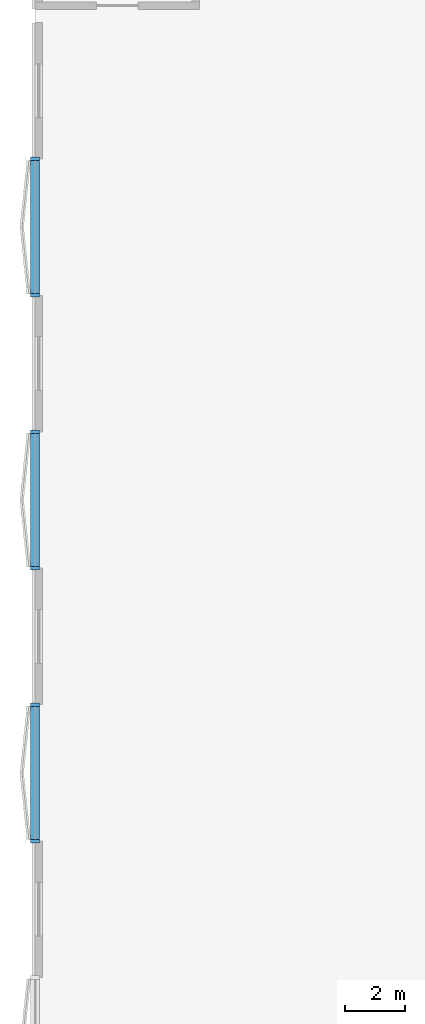
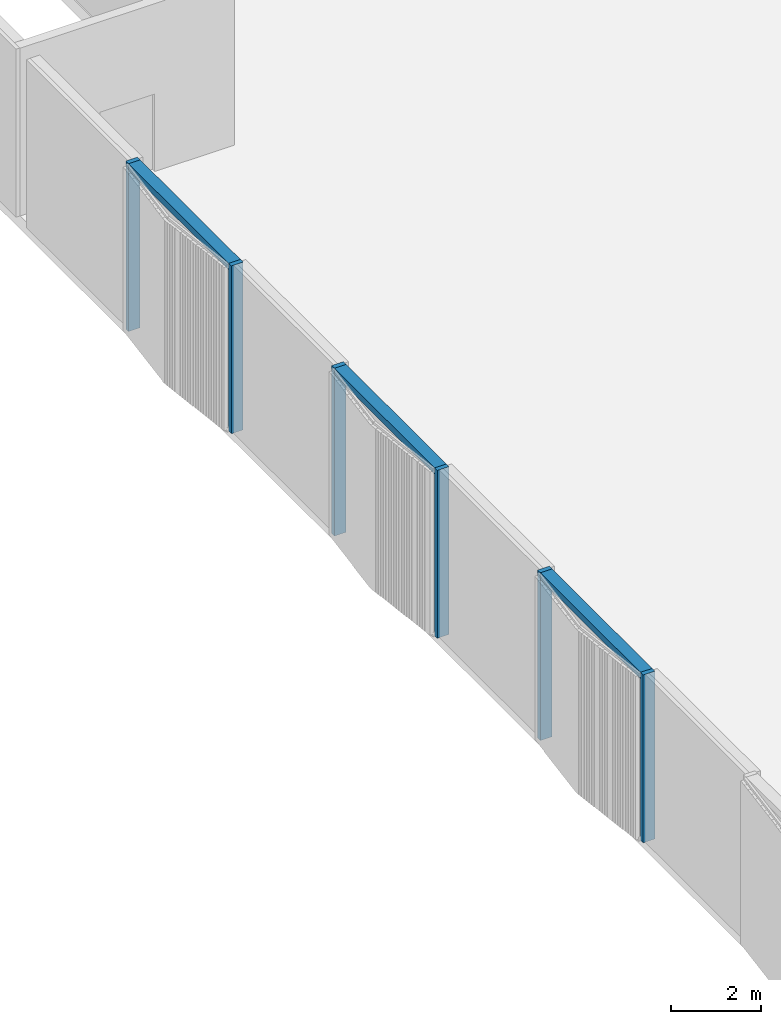
# One storey, part 4 of 24: 9 members, 1 element without a shape of its own.
"""IFC4 building model written with IfcOpenShell, lengths in metres."""

from ifc_helpers import new_model, si_unit, direction, frame, origin, origin_2d, place, context, subcontext, project, spatial, rectangle, extrude, material, material_profile, profile_set, type_object, element, aggregate, save


model = new_model("IFC4")

# Units and contexts
model_context = context("Model", 3, precision=1e-05, world=origin(), true_north=direction((0.0, 1.0)))
body_context = subcontext(model_context, "Body", "Model", "MODEL_VIEW")
ifc_project = project(units=[si_unit("LENGTHUNIT", "METRE"), si_unit("AREAUNIT", "SQUARE_METRE"), si_unit("VOLUMEUNIT", "CUBIC_METRE"), si_unit("PLANEANGLEUNIT", "RADIAN"), si_unit("MASSUNIT", "GRAM", prefix="KILO")], contexts=[model_context])

# Site, building, storey
site_placement = place(None, origin())
site = spatial("IfcSite", under=ifc_project, at=site_placement, CompositionType="ELEMENT")
building_placement = place(site_placement, origin())
building = spatial("IfcBuilding", under=site, at=building_placement, Name="Tamra Quay Hotel Tower", CompositionType="ELEMENT")
storey_placement = place(building_placement, frame((0.0, 0.0, 19.5)))
storey = spatial("IfcBuildingStorey", under=building, at=storey_placement, Name="L03", CompositionType="ELEMENT", Elevation=19.5)

# Curtain wall, members
ifc_material = material(Name="Aluminium 6063 anodised dark grey", Category="aluminium")
curtain_wall_type = type_object("IfcCurtainWallType", Name="CW4 CURTAIN WALL", PredefinedType="NOTDEFINED", material=ifc_material)
curtain_wall_placement = place(storey_placement, origin())
curtain_wall = element("IfcCurtainWall", 1, at=curtain_wall_placement, inside=storey, type_object=curtain_wall_type, Name="CW4 west face L03", PredefinedType="NOTDEFINED")
ifc_material_profile_1 = material_profile(ifc_material, rectangle(XDim=0.300048828125, YDim=0.1201171875, at=origin_2d()), Name="MULLION 120X300")
ifc_profile_set_1 = profile_set([ifc_material_profile_1], Name="Aluminium 6063 anodised dark grey")
member_type_1 = type_object("IfcMemberType", Name="MULLION CW4", PredefinedType="MULLION", material=ifc_profile_set_1)
member_1_placement = place(storey_placement, frame((-89.10009765625, 18.28564453125, 0.0), z_axis=(0.0, 0.0, 1.0), x_axis=(-1.0, 0.0, 0.0)))
member_1 = element("IfcMember", 2, at=member_1_placement, type_object=member_type_1, Name="CW4 mullion L03.W.1", PredefinedType="MULLION", context=body_context, shape_type="SweptSolid", body=[
    extrude(rectangle(XDim=0.300048828125, YDim=0.1201171875, at=origin_2d()), origin(), (0.0, 0.0, 1.0), 4.550048828125),
])
member_2_placement = place(storey_placement, frame((-89.10009765625, 13.71435546875, 0.0), z_axis=(0.0, 0.0, 1.0), x_axis=(-1.0, 0.0, 0.0)))
member_2 = element("IfcMember", 3, at=member_2_placement, type_object=member_type_1, Name="CW4 mullion L03.W.2", PredefinedType="MULLION", context=body_context, shape_type="SweptSolid", body=[
    extrude(rectangle(XDim=0.300048828125, YDim=0.1201171875, at=origin_2d()), origin(), (0.0, 0.0, 1.0), 4.550048828125),
])
member_3_placement = place(storey_placement, frame((-89.10009765625, 9.142822265625, 0.0), z_axis=(0.0, 0.0, 1.0), x_axis=(-1.0, 0.0, 0.0)))
member_3 = element("IfcMember", 4, at=member_3_placement, type_object=member_type_1, Name="CW4 mullion L03.W.2", PredefinedType="MULLION", context=body_context, shape_type="SweptSolid", body=[
    extrude(rectangle(XDim=0.300048828125, YDim=0.1201171875, at=origin_2d()), origin(), (0.0, 0.0, 1.0), 4.550048828125),
])
member_4_placement = place(storey_placement, frame((-89.10009765625, 4.571533203125, 0.0), z_axis=(0.0, 0.0, 1.0), x_axis=(-1.0, 0.0, 0.0)))
member_4 = element("IfcMember", 5, at=member_4_placement, type_object=member_type_1, Name="CW4 mullion L03.W.3", PredefinedType="MULLION", context=body_context, shape_type="SweptSolid", body=[
    extrude(rectangle(XDim=0.300048828125, YDim=0.1201171875, at=origin_2d()), origin(), (0.0, 0.0, 1.0), 4.550048828125),
])
member_5_placement = place(storey_placement, frame((-89.10009765625, 0.0, 0.0), z_axis=(0.0, 0.0, 1.0), x_axis=(-1.0, 0.0, 0.0)))
member_5 = element("IfcMember", 6, at=member_5_placement, type_object=member_type_1, Name="CW4 mullion L03.W.3", PredefinedType="MULLION", context=body_context, shape_type="SweptSolid", body=[
    extrude(rectangle(XDim=0.300048828125, YDim=0.1201171875, at=origin_2d()), origin(), (0.0, 0.0, 1.0), 4.550048828125),
])
member_6_placement = place(storey_placement, frame((-89.10009765625, -4.571533203125, 0.0), z_axis=(0.0, 0.0, 1.0), x_axis=(-1.0, 0.0, 0.0)))
member_6 = element("IfcMember", 7, at=member_6_placement, type_object=member_type_1, Name="CW4 mullion L03.W.4", PredefinedType="MULLION", context=body_context, shape_type="SweptSolid", body=[
    extrude(rectangle(XDim=0.300048828125, YDim=0.1201171875, at=origin_2d()), origin(), (0.0, 0.0, 1.0), 4.550048828125),
])
ifc_material_profile_2 = material_profile(ifc_material, rectangle(XDim=0.300048828125, YDim=0.179931640625, at=origin_2d()), Name="TRANSOM 300X180")
ifc_profile_set_2 = profile_set([ifc_material_profile_2], Name="Aluminium 6063 anodised dark grey")
member_type_2 = type_object("IfcMemberType", Name="TRANSOM CW4", PredefinedType="USERDEFINED", material=ifc_profile_set_2)
member_7_placement = place(storey_placement, frame((-89.10009765625, 18.225830078125, 4.4599609375), z_axis=(0.0, -1.0, 0.0), x_axis=(1.0, 0.0, 0.0)))
member_7 = element("IfcMember", 8, at=member_7_placement, type_object=member_type_2, Name="CW4 transom L03.W.1", ObjectType="TRANSOM", PredefinedType="USERDEFINED", context=body_context, shape_type="SweptSolid", body=[
    extrude(rectangle(XDim=0.300048828125, YDim=0.179931640625, at=origin_2d()), origin(), (0.0, 0.0, 1.0), 4.45166015625),
])
member_8_placement = place(storey_placement, frame((-89.10009765625, 9.082763671875, 4.4599609375), z_axis=(0.0, -1.0, 0.0), x_axis=(1.0, 0.0, 0.0)))
member_8 = element("IfcMember", 9, at=member_8_placement, type_object=member_type_2, Name="CW4 transom L03.W.2", ObjectType="TRANSOM", PredefinedType="USERDEFINED", context=body_context, shape_type="SweptSolid", body=[
    extrude(rectangle(XDim=0.300048828125, YDim=0.179931640625, at=origin_2d()), origin(), (0.0, 0.0, 1.0), 4.451416015625),
])
member_9_placement = place(storey_placement, frame((-89.10009765625, -0.06005859375, 4.4599609375), z_axis=(0.0, -1.0, 0.0), x_axis=(1.0, 0.0, 0.0)))
member_9 = element("IfcMember", 10, at=member_9_placement, type_object=member_type_2, Name="CW4 transom L03.W.3", ObjectType="TRANSOM", PredefinedType="USERDEFINED", context=body_context, shape_type="SweptSolid", body=[
    extrude(rectangle(XDim=0.300048828125, YDim=0.179931640625, at=origin_2d()), origin(), (0.0, 0.0, 1.0), 4.451416015625),
])
aggregate(curtain_wall, [member_1, member_7, member_2, member_3, member_8, member_4, member_5, member_9, member_6])

save(model, "model.ifc")
